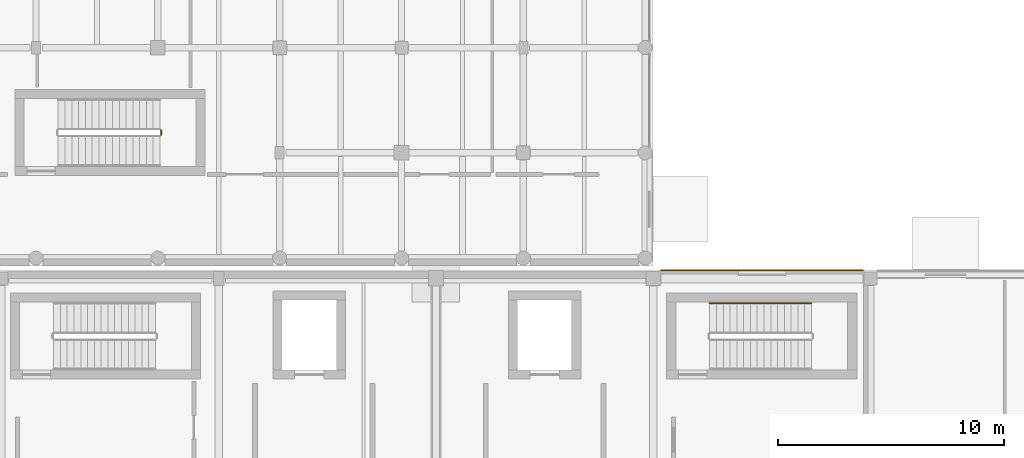
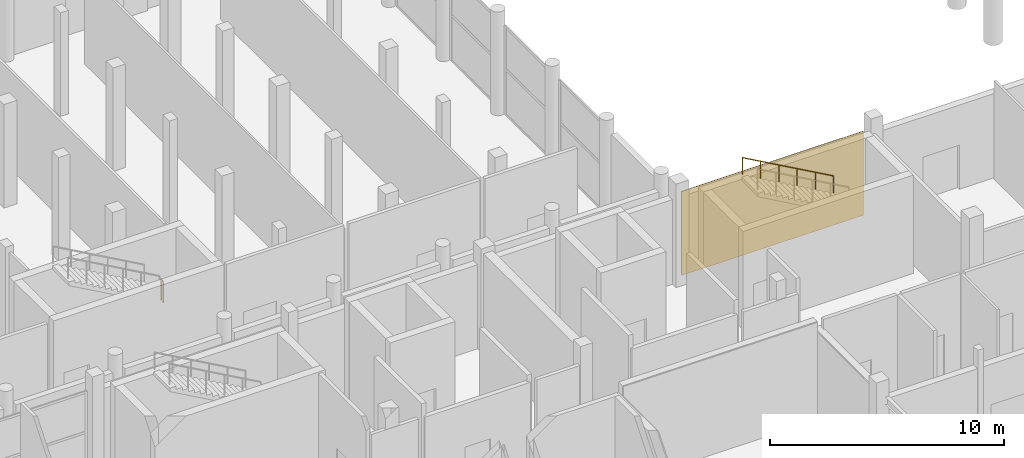
# One storey, part 81 of 88: 2 railings, 1 covering.
"""IFC4 building model written with IfcOpenShell, lengths in metres."""

from ifc_helpers import new_model, si_unit, direction, frame, origin, origin_2d, place, context, subcontext, project, spatial, rectangle, circle, extrude, material, layer, layer_set, type_object, element, save


model = new_model("IFC4")

# Units and contexts
model_context = context("Model", 3, precision=1e-05, world=origin(), true_north=direction((0.0, 1.0)))
body_context = subcontext(model_context, "Body", "Model", "MODEL_VIEW")
ifc_project = project(units=[si_unit("LENGTHUNIT", "METRE"), si_unit("AREAUNIT", "SQUARE_METRE"), si_unit("VOLUMEUNIT", "CUBIC_METRE"), si_unit("PLANEANGLEUNIT", "RADIAN"), si_unit("MASSUNIT", "GRAM", prefix="KILO")], contexts=[model_context])

# Site, building, storey
site_placement = place(None, origin())
site = spatial("IfcSite", under=ifc_project, at=site_placement, CompositionType="ELEMENT")
building_placement = place(site_placement, origin())
building = spatial("IfcBuilding", under=site, at=building_placement, Name="Birchvale Park Specialist Clinic", CompositionType="ELEMENT")
storey_placement = place(building_placement, origin())
storey = spatial("IfcBuildingStorey", under=building, at=storey_placement, Name="L00", CompositionType="ELEMENT", Elevation=0.0)

# Covering
ifc_material_1 = material(Name="Nordic larch vertical rainscreen cladding")
ifc_layer = layer(ifc_material_1, 0.044921875)
ifc_layer_set = layer_set([ifc_layer], Name="Nordic larch vertical rainscreen cladding")
covering_type = type_object("IfcCoveringType", Name="COV-CL1", PredefinedType="CLADDING", material=ifc_layer_set)
covering_placement = place(storey_placement, frame((95.012451171875, 34.6025390625, 0.02001953125), z_axis=(0.0, 0.0, 1.0), x_axis=(-1.0, 0.0, 0.0)))
element("IfcCovering", 1, at=covering_placement, inside=storey, type_object=covering_type, Name="V4 L00 Nordic larch cladding 8", PredefinedType="CLADDING", context=body_context, shape_type="SweptSolid", body=[
    extrude(rectangle(XDim=8.965087890625, YDim=0.044921875, at=origin_2d()), origin(), (0.0, 0.0, 1.0), 4.375),
])

# Railings
ifc_material_2 = material(Name="Brushed stainless steel guard railing", Category="steel")
railing_type_1 = type_object("IfcRailingType", Name="RL-GRD1", PredefinedType="GUARDRAIL", material=ifc_material_2)
railing_1_placement = place(storey_placement, frame((68.449951171875, 40.60009765625, 2.699951171875)))
element("IfcRailing", 2, at=railing_1_placement, inside=storey, type_object=railing_type_1, Name="L00 ST1 stair guard 2", PredefinedType="GUARDRAIL", context=body_context, shape_type="SweptSolid", body=[
    extrude(circle(Radius=0.02392578125, at=origin_2d()), frame((0.0, 0.0, 1.076171875), z_axis=(0.0, 1.0, 0.0), x_axis=(-1.0, 0.0, 0.0)), (0.0, 0.0, 1.0), 0.199951171875),
    extrude(circle(Radius=0.02099609375, at=origin_2d()), origin(), (0.0, 0.0, 1.0), 1.052001953125),
    extrude(circle(Radius=0.02099609375, at=origin_2d()), frame((0.0, 0.199951171875, 0.0)), (0.0, 0.0, 1.0), 1.052001953125),
])
ifc_material_3 = material(Name="Anodised aluminium handrail", Category="aluminium")
railing_type_2 = type_object("IfcRailingType", Name="RL-HND1", PredefinedType="HANDRAIL", material=ifc_material_3)
railing_2_placement = place(storey_placement, frame((97.199951171875, 33.14990234375, 2.86865234375)))
element("IfcRailing", 3, at=railing_2_placement, inside=storey, type_object=railing_type_2, Name="L00 ST5 stair handrail 2", PredefinedType="HANDRAIL", context=body_context, shape_type="SweptSolid", body=[
    extrude(circle(Radius=0.02392578125, at=origin_2d()), frame((0.0, 0.0, 0.8759765625), z_axis=(-0.871575537125, 0.0, 0.490261239633), x_axis=(0.0, -1.0, 0.0)), (0.0, 0.0, 1.0), 5.1630859375),
    extrude(circle(Radius=0.02099609375, at=origin_2d()), origin(), (0.0, 0.0, 1.0), 0.851806640625),
    extrude(circle(Radius=0.02099609375, at=origin_2d()), frame((-0.89990234375, 0.0, 0.50634765625)), (0.0, 0.0, 1.0), 0.851806640625),
    extrude(circle(Radius=0.02099609375, at=origin_2d()), frame((-1.800048828125, 0.0, 1.012451171875)), (0.0, 0.0, 1.0), 0.851806640625),
    extrude(circle(Radius=0.02099609375, at=origin_2d()), frame((-2.699951171875, 0.0, 1.518798828125)), (0.0, 0.0, 1.0), 0.851806640625),
    extrude(circle(Radius=0.02099609375, at=origin_2d()), frame((-3.60009765625, 0.0, 2.02490234375)), (0.0, 0.0, 1.0), 0.851806640625),
    extrude(circle(Radius=0.02099609375, at=origin_2d()), frame((-4.5, 0.0, 2.53125)), (0.0, 0.0, 1.0), 0.851806640625),
])

save(model, "model.ifc")
